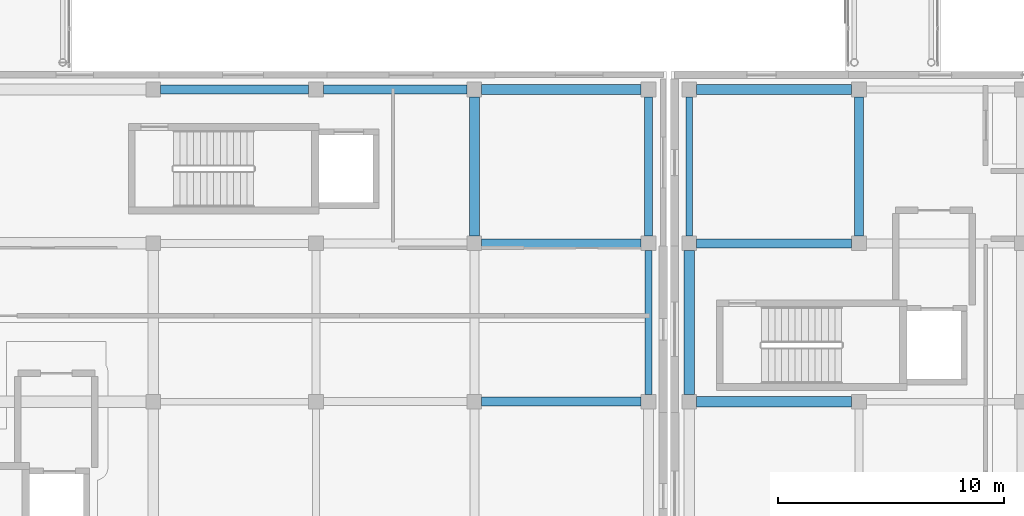
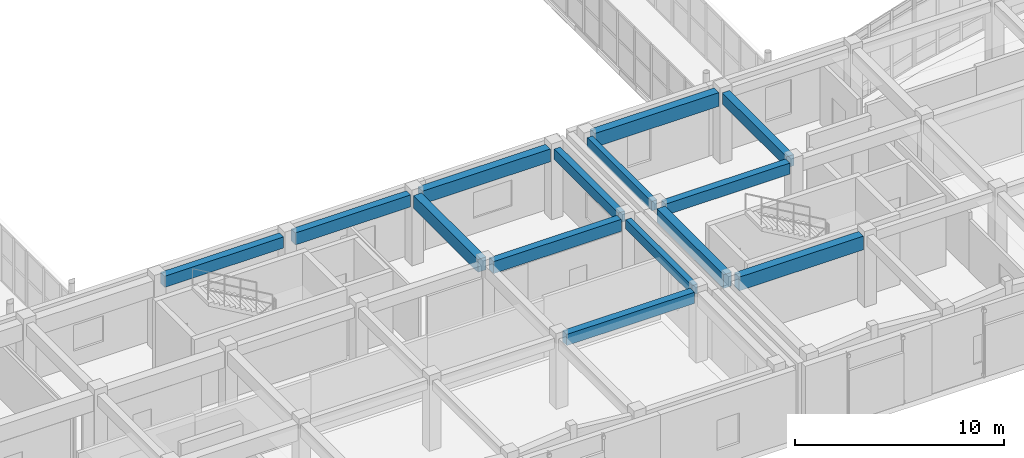
# One storey, part 25 of 142: 14 beams.
"""IFC4 building model written with IfcOpenShell, lengths in metres."""

from ifc_helpers import new_model, si_unit, direction, frame, origin, origin_2d, place, context, subcontext, project, spatial, rectangle, extrude, material, material_profile, profile_set, type_object, element, save


model = new_model("IFC4")

# Units and contexts
model_context = context("Model", 3, precision=1e-05, world=origin(), true_north=direction((0.0, 1.0)))
body_context = subcontext(model_context, "Body", "Model", "MODEL_VIEW")
ifc_project = project(units=[si_unit("LENGTHUNIT", "METRE"), si_unit("AREAUNIT", "SQUARE_METRE"), si_unit("VOLUMEUNIT", "CUBIC_METRE"), si_unit("PLANEANGLEUNIT", "RADIAN"), si_unit("MASSUNIT", "GRAM", prefix="KILO")], contexts=[model_context])

# Site, building, storey
site_placement = place(None, origin())
site = spatial("IfcSite", under=ifc_project, at=site_placement, CompositionType="ELEMENT")
building_placement = place(site_placement, origin())
building = spatial("IfcBuilding", under=site, at=building_placement, Name="Valcora Specialist Clinic", CompositionType="ELEMENT")
storey_placement = place(building_placement, frame((0.0, 0.0, 5.10009765625)))
storey = spatial("IfcBuildingStorey", under=building, at=storey_placement, Name="L01", CompositionType="ELEMENT", Elevation=5.10009765625)

# Beams
ifc_material = material(Name="Concrete C40/50", Category="concrete")
ifc_material_profile_1 = material_profile(ifc_material, rectangle(XDim=0.300048828125, YDim=0.550048828125, at=origin_2d()), Name="RC-BM-300X550")
ifc_profile_set_1 = profile_set([ifc_material_profile_1], Name="Concrete C40/50")
beam_type_1 = type_object("IfcBeamType", Name="TY-BM-RC300X550", PredefinedType="BEAM", material=ifc_profile_set_1)
beam_1_placement = place(storey_placement, frame((52.5, 8.52490234375, 3.7998046875), z_axis=(0.0, 1.0, 0.0), x_axis=(-1.0, 0.0, 0.0)))
element("IfcBeam", 1, at=beam_1_placement, inside=storey, type_object=beam_type_1, Name="Beam BM-L01-0977", PredefinedType="BEAM", context=body_context, shape_type="SweptSolid", body=[
    extrude(rectangle(XDim=0.300048828125, YDim=0.550048828125, at=origin_2d()), origin(), (0.0, 0.0, 1.0), 6.35009765625),
])
beam_2_placement = place(storey_placement, frame((54.300048828125, 15.52490234375, 3.829833984375), z_axis=(0.0, 1.0, 0.0), x_axis=(-1.0, 0.0, 0.0)))
element("IfcBeam", 2, at=beam_2_placement, inside=storey, type_object=beam_type_1, Name="Beam BM-L01-1331", PredefinedType="BEAM", context=body_context, shape_type="SweptSolid", body=[
    extrude(rectangle(XDim=0.300048828125, YDim=0.550048828125, at=origin_2d()), origin(), (0.0, 0.0, 1.0), 6.150146484375),
])
ifc_material_profile_2 = material_profile(ifc_material, rectangle(XDim=0.35009765625, YDim=0.60009765625, at=origin_2d()), Name="RC-BM-350X600")
ifc_profile_set_2 = profile_set([ifc_material_profile_2], Name="Concrete C40/50")
beam_type_2 = type_object("IfcBeamType", Name="TY-BM-RC350X600", PredefinedType="BEAM", material=ifc_profile_set_2)
beam_3_placement = place(storey_placement, frame((52.5, 15.52490234375, 3.77490234375), z_axis=(0.0, 1.0, 0.0), x_axis=(-1.0, 0.0, 0.0)))
element("IfcBeam", 3, at=beam_3_placement, inside=storey, type_object=beam_type_2, Name="Beam BM-L01-0978", PredefinedType="BEAM", context=body_context, shape_type="SweptSolid", body=[
    extrude(rectangle(XDim=0.35009765625, YDim=0.60009765625, at=origin_2d()), origin(), (0.0, 0.0, 1.0), 6.150146484375),
])
ifc_material_profile_3 = material_profile(ifc_material, rectangle(XDim=0.39990234375, YDim=0.64990234375, at=origin_2d()), Name="RC-BM-400X650")
ifc_profile_set_3 = profile_set([ifc_material_profile_3], Name="Concrete C40/50")
beam_type_3 = type_object("IfcBeamType", Name="TY-BM-RC400X650", PredefinedType="BEAM", material=ifc_profile_set_3)
beam_4_placement = place(storey_placement, frame((45.125, 8.199951171875, 3.75), z_axis=(1.0, 0.0, 0.0), x_axis=(0.0, 1.0, 0.0)))
element("IfcBeam", 4, at=beam_4_placement, inside=storey, type_object=beam_type_3, Name="Beam BM-L01-0945", PredefinedType="BEAM", context=body_context, shape_type="SweptSolid", body=[
    extrude(rectangle(XDim=0.39990234375, YDim=0.64990234375, at=origin_2d()), origin(), (0.0, 0.0, 1.0), 7.050048828125),
])
beam_5_placement = place(storey_placement, frame((30.925048828125, 22.0, 3.75), z_axis=(1.0, 0.0, 0.0), x_axis=(0.0, 1.0, 0.0)))
element("IfcBeam", 5, at=beam_5_placement, inside=storey, type_object=beam_type_3, Name="Beam BM-L01-0957", PredefinedType="BEAM", context=body_context, shape_type="SweptSolid", body=[
    extrude(rectangle(XDim=0.39990234375, YDim=0.64990234375, at=origin_2d()), origin(), (0.0, 0.0, 1.0), 6.550048828125),
])
beam_6_placement = place(storey_placement, frame((54.625, 15.199951171875, 3.77978515625), z_axis=(1.0, 0.0, 0.0), x_axis=(0.0, 1.0, 0.0)))
element("IfcBeam", 6, at=beam_6_placement, inside=storey, type_object=beam_type_3, Name="Beam BM-L01-1311", PredefinedType="BEAM", context=body_context, shape_type="SweptSolid", body=[
    extrude(rectangle(XDim=0.39990234375, YDim=0.64990234375, at=origin_2d()), origin(), (0.0, 0.0, 1.0), 6.85009765625),
])
beam_7_placement = place(storey_placement, frame((61.800048828125, 15.52490234375, 3.77978515625), z_axis=(0.0, 1.0, 0.0), x_axis=(-1.0, 0.0, 0.0)))
element("IfcBeam", 7, at=beam_7_placement, inside=storey, type_object=beam_type_3, Name="Beam BM-L01-1333", PredefinedType="BEAM", context=body_context, shape_type="SweptSolid", body=[
    extrude(rectangle(XDim=0.39990234375, YDim=0.64990234375, at=origin_2d()), origin(), (0.0, 0.0, 1.0), 6.150146484375),
])
ifc_material_profile_4 = material_profile(ifc_material, rectangle(XDim=0.39990234375, YDim=0.699951171875, at=origin_2d()), Name="RC-BM-400X700")
ifc_profile_set_4 = profile_set([ifc_material_profile_4], Name="Concrete C40/50")
beam_type_4 = type_object("IfcBeamType", Name="TY-BM-RC400X700", PredefinedType="BEAM", material=ifc_profile_set_4)
beam_8_placement = place(storey_placement, frame((45.125, 15.199951171875, 3.724853515625), z_axis=(1.0, 0.0, 0.0), x_axis=(0.0, 1.0, 0.0)))
element("IfcBeam", 8, at=beam_8_placement, inside=storey, type_object=beam_type_4, Name="Beam BM-L01-0952", PredefinedType="BEAM", context=body_context, shape_type="SweptSolid", body=[
    extrude(rectangle(XDim=0.39990234375, YDim=0.699951171875, at=origin_2d()), origin(), (0.0, 0.0, 1.0), 7.050048828125),
])
beam_9_placement = place(storey_placement, frame((38.125, 22.0, 3.724853515625), z_axis=(1.0, 0.0, 0.0), x_axis=(0.0, 1.0, 0.0)))
element("IfcBeam", 9, at=beam_9_placement, inside=storey, type_object=beam_type_4, Name="Beam BM-L01-0958", PredefinedType="BEAM", context=body_context, shape_type="SweptSolid", body=[
    extrude(rectangle(XDim=0.39990234375, YDim=0.699951171875, at=origin_2d()), origin(), (0.0, 0.0, 1.0), 6.35009765625),
])
ifc_material_profile_5 = material_profile(ifc_material, rectangle(XDim=0.449951171875, YDim=0.75, at=origin_2d()), Name="RC-BM-450X750")
ifc_profile_set_5 = profile_set([ifc_material_profile_5], Name="Concrete C40/50")
beam_type_5 = type_object("IfcBeamType", Name="TY-BM-RC450X750", PredefinedType="BEAM", material=ifc_profile_set_5)
beam_10_placement = place(storey_placement, frame((45.125, 22.0, 3.699951171875), z_axis=(1.0, 0.0, 0.0), x_axis=(0.0, 1.0, 0.0)))
element("IfcBeam", 10, at=beam_10_placement, inside=storey, type_object=beam_type_5, Name="Beam BM-L01-0959", PredefinedType="BEAM", context=body_context, shape_type="SweptSolid", body=[
    extrude(rectangle(XDim=0.449951171875, YDim=0.75, at=origin_2d()), origin(), (0.0, 0.0, 1.0), 7.050048828125),
])
beam_11_placement = place(storey_placement, frame((44.800048828125, 15.52490234375, 3.699951171875), z_axis=(0.0, 1.0, 0.0), x_axis=(-1.0, 0.0, 0.0)))
element("IfcBeam", 11, at=beam_11_placement, inside=storey, type_object=beam_type_5, Name="Beam BM-L01-0975", PredefinedType="BEAM", context=body_context, shape_type="SweptSolid", body=[
    extrude(rectangle(XDim=0.449951171875, YDim=0.75, at=origin_2d()), origin(), (0.0, 0.0, 1.0), 6.150146484375),
])
ifc_material_profile_6 = material_profile(ifc_material, rectangle(XDim=0.449951171875, YDim=0.800048828125, at=origin_2d()), Name="RC-BM-450X800")
ifc_profile_set_6 = profile_set([ifc_material_profile_6], Name="Concrete C40/50")
beam_type_6 = type_object("IfcBeamType", Name="TY-BM-RC450X800", PredefinedType="BEAM", material=ifc_profile_set_6)
for number, where, z_axis, x_axis, name in (
    (12, (54.625, 8.199951171875, 3.704833984375), (1.0, 0.0, 0.0), (0.0, 1.0, 0.0), "Beam BM-L01-1302"),
    (13, (54.625, 22.0, 3.704833984375), (1.0, 0.0, 0.0), (0.0, 1.0, 0.0), "Beam BM-L01-1320"),
):
    element("IfcBeam", number, at=place(storey_placement, frame(where, z_axis=z_axis, x_axis=x_axis)), inside=storey, type_object=beam_type_6, Name=name, PredefinedType="BEAM", context=body_context, shape_type="SweptSolid", body=[
        extrude(rectangle(XDim=0.449951171875, YDim=0.800048828125, at=origin_2d()), origin(), (0.0, 0.0, 1.0), 6.85009765625),
    ])
beam_12_placement = place(storey_placement, frame((54.300048828125, 8.52490234375, 3.704833984375), z_axis=(0.0, 1.0, 0.0), x_axis=(-1.0, 0.0, 0.0)))
element("IfcBeam", 14, at=beam_12_placement, inside=storey, type_object=beam_type_6, Name="Beam BM-L01-1330", PredefinedType="BEAM", context=body_context, shape_type="SweptSolid", body=[
    extrude(rectangle(XDim=0.449951171875, YDim=0.800048828125, at=origin_2d()), origin(), (0.0, 0.0, 1.0), 6.35009765625),
])

save(model, "model.ifc")
